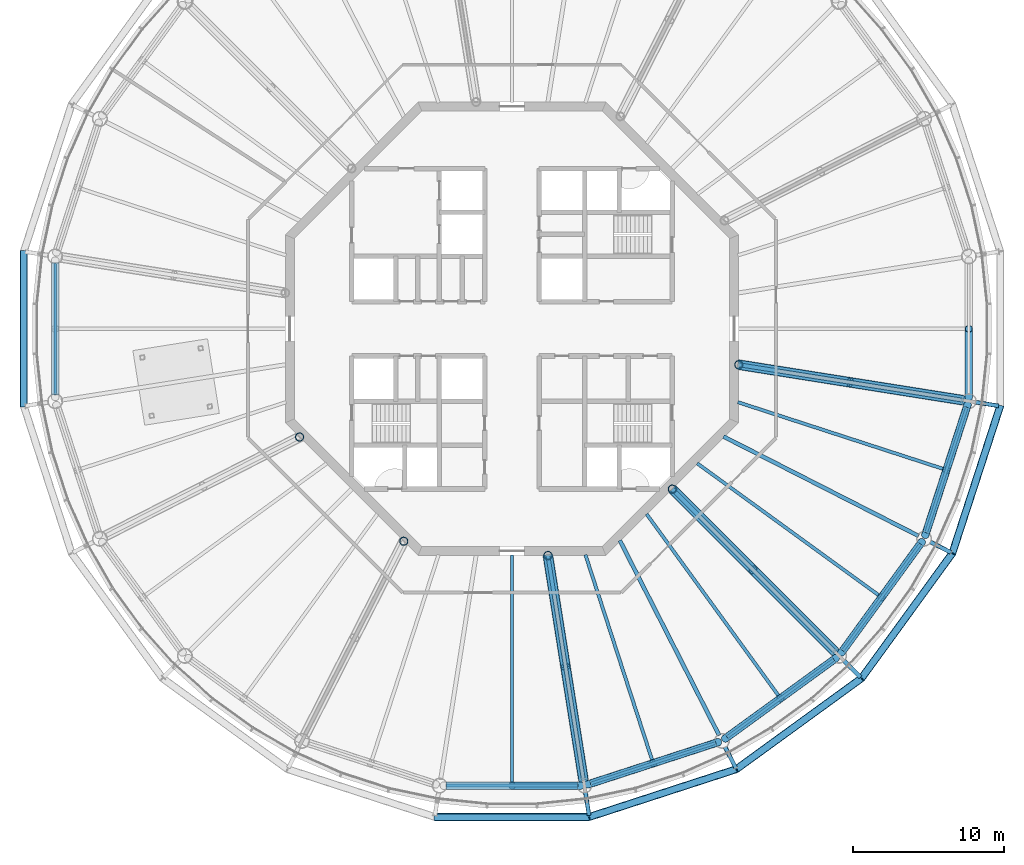
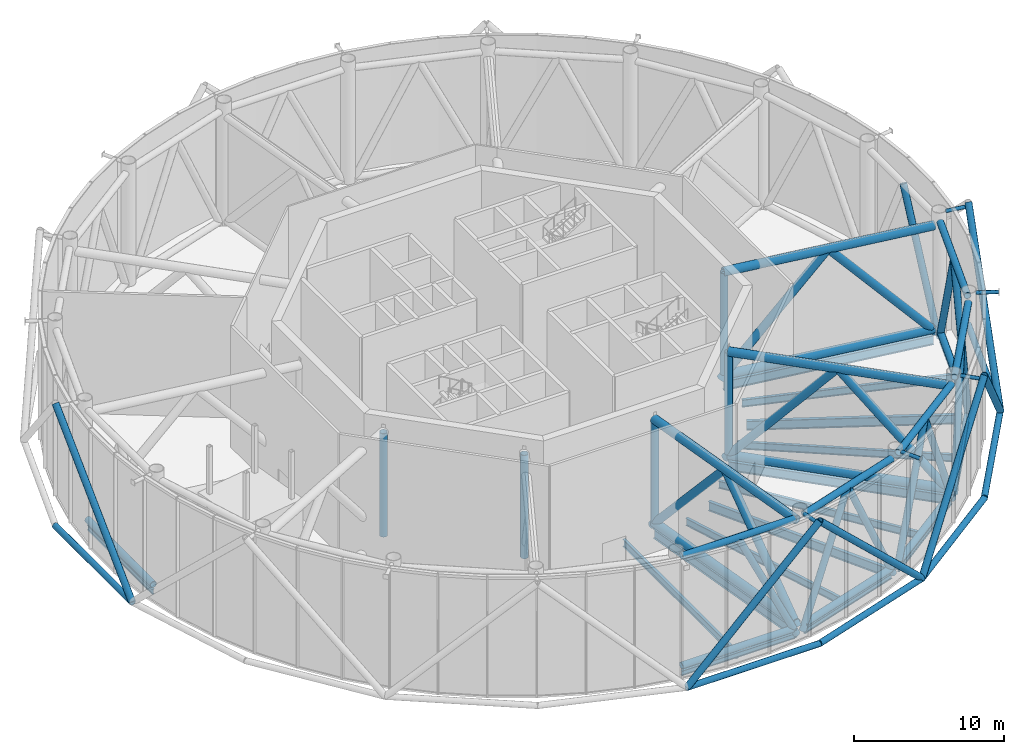
# One storey, part 2 of 23: 55 members, 16 beams.
"""IFC4 building model written with IfcOpenShell, lengths in metres."""

from ifc_helpers import new_model, si_unit, direction, frame, origin, origin_2d, place, context, subcontext, project, spatial, circle, hollow_circle, i_section, extrude, material, material_profile, profile_set, type_object, element, save


model = new_model("IFC4")

# Units and contexts
model_context = context("Model", 3, precision=1e-05, world=origin(), true_north=direction((0.0, 1.0)))
body_context = subcontext(model_context, "Body", "Model", "MODEL_VIEW")
ifc_project = project(units=[si_unit("LENGTHUNIT", "METRE"), si_unit("AREAUNIT", "SQUARE_METRE"), si_unit("VOLUMEUNIT", "CUBIC_METRE"), si_unit("PLANEANGLEUNIT", "RADIAN"), si_unit("MASSUNIT", "GRAM", prefix="KILO")], contexts=[model_context])

# Site, building, storey
site_placement = place(None, origin())
site = spatial("IfcSite", under=ifc_project, at=site_placement, CompositionType="ELEMENT")
building_placement = place(site_placement, origin())
building = spatial("IfcBuilding", under=site, at=building_placement, Name="Entoto Ring Tower", CompositionType="ELEMENT")
storey_placement = place(building_placement, frame((0.0, 0.0, 392.0)))
storey = spatial("IfcBuildingStorey", under=building, at=storey_placement, Name="L91", CompositionType="ELEMENT", Elevation=392.0)

# Members
ifc_material_1 = material(Name="Steel S355", Category="steel")
ifc_material_profile_1 = material_profile(ifc_material_1, hollow_circle(Radius=0.25390625, WallThickness=0.030029296875, at=origin_2d()), Name="CHS 508 x 30")
ifc_material_2 = material(Name="Concrete C60/75", Category="concrete")
ifc_material_profile_2 = material_profile(ifc_material_2, circle(Radius=0.22412109375, at=origin_2d()), Name="Concrete C60/75 infill")
ifc_profile_set_1 = profile_set([ifc_material_profile_1, ifc_material_profile_2], Name="Steel S355")
member_type_1 = type_object("IfcMemberType", Name="Diagrid diagonal 508 x 30 concrete-filled tube", PredefinedType="BRACE", material=ifc_profile_set_1)
for number, where, z_axis, x_axis, name in (
    (1, (57.70263671875, 74.884521484375, 0.0), (0.0, 0.715132528585, 0.698988888724), (-1.0, 0.0, 0.0), "DG7 module 29 11"),
    (2, (84.884521484375, 47.70263671875, 0.0), (0.715132528585, 0.0, 0.698988888724), (0.0, 1.0, 0.0), "DG7 module 29 16"),
):
    element("IfcMember", number, at=place(storey_placement, frame(where, z_axis=z_axis, x_axis=x_axis)), inside=storey, type_object=member_type_1, Name=name, PredefinedType="BRACE", context=body_context, shape_type="SweptSolid", body=[
        extrude(hollow_circle(Radius=0.25390625, WallThickness=0.030029296875, at=origin_2d()), origin(), (0.0, 0.0, 1.0), 14.306396484375),
    ])
member_1_placement = place(storey_placement, frame((104.845458984375, 50.864013671875, 0.0), z_axis=(-0.680124223671, -0.220979790543, 0.698998549746), x_axis=(0.309009448885, -0.95105896794, 0.0)))
element("IfcMember", 3, at=member_1_placement, inside=storey, type_object=member_type_1, Name="DG7 module 29 17", PredefinedType="BRACE", context=body_context, shape_type="SweptSolid", body=[
    extrude(hollow_circle(Radius=0.25390625, WallThickness=0.030029296875, at=origin_2d()), origin(), (0.0, 0.0, 1.0), 14.30615234375),
])
for number, where, z_axis, x_axis, name in (
    (4, (104.845458984375, 50.864013671875, 0.0), (0.578545680196, 0.420350928989, 0.698992126153), (-0.587797047665, 0.809008424404, 0.0), "DG7 module 29 18"),
    (5, (119.135986328125, 65.154541015625, 0.0), (-0.420350928989, -0.578545680196, 0.698992126153), (0.809008424404, -0.587797047665, 0.0), "DG7 module 29 19"),
):
    element("IfcMember", number, at=place(storey_placement, frame(where, z_axis=z_axis, x_axis=x_axis)), inside=storey, type_object=member_type_1, Name=name, PredefinedType="BRACE", context=body_context, shape_type="SweptSolid", body=[
        extrude(hollow_circle(Radius=0.25390625, WallThickness=0.030029296875, at=origin_2d()), origin(), (0.0, 0.0, 1.0), 14.306396484375),
    ])
member_2_placement = place(storey_placement, frame((119.135986328125, 65.154541015625, 0.0), z_axis=(0.220979790543, 0.680124223671, 0.698998549746), x_axis=(-0.95105896794, 0.309009448885, 0.0)))
element("IfcMember", 6, at=member_2_placement, inside=storey, type_object=member_type_1, Name="DG7 module 29 20", PredefinedType="BRACE", context=body_context, shape_type="SweptSolid", body=[
    extrude(hollow_circle(Radius=0.25390625, WallThickness=0.030029296875, at=origin_2d()), origin(), (0.0, 0.0, 1.0), 14.30615234375),
])
ifc_material_3 = material(Name="Steel S355", Category="steel")
ifc_material_profile_3 = material_profile(ifc_material_3, hollow_circle(Radius=0.136474609375, WallThickness=0.012451171875, at=origin_2d()), Name="CHS 273 x 12.5")
ifc_material_4 = material(Name="Concrete C60/75", Category="concrete")
ifc_material_profile_4 = material_profile(ifc_material_4, circle(Radius=0.1240234375, at=origin_2d()), Name="Concrete C60/75 infill")
ifc_profile_set_2 = profile_set([ifc_material_profile_3, ifc_material_profile_4], Name="Steel S355")
member_type_2 = type_object("IfcMemberType", Name="Diagrid node strut 273 x 12.5", PredefinedType="STRUT", material=ifc_profile_set_2)
member_3_placement = place(storey_placement, frame((94.85888671875, 49.321533203125, 9.71337890625), z_axis=(0.156548977711, -0.987670196765, 0.0), x_axis=(0.987670196765, 0.156548977711, 0.0)))
element("IfcMember", 7, at=member_3_placement, inside=storey, type_object=member_type_2, Name="DS2 strut ring 29 15", PredefinedType="STRUT", context=body_context, shape_type="SweptSolid", body=[
    extrude(hollow_circle(Radius=0.136474609375, WallThickness=0.012451171875, at=origin_2d()), origin(), (0.0, 0.0, 1.0), 1.539306640625),
])
member_4_placement = place(storey_placement, frame((104.101318359375, 52.324462890625, 9.71337890625), z_axis=(0.453989939363, -0.891006809714, 0.0), x_axis=(0.891006809714, 0.453989939363, 0.0)))
element("IfcMember", 8, at=member_4_placement, inside=storey, type_object=member_type_2, Name="DS2 strut ring 29 16", PredefinedType="STRUT", context=body_context, shape_type="SweptSolid", body=[
    extrude(hollow_circle(Radius=0.136474609375, WallThickness=0.012451171875, at=origin_2d()), origin(), (0.0, 0.0, 1.0), 1.5390625),
])
member_5_placement = place(storey_placement, frame((111.96337890625, 58.03662109375, 9.71337890625), z_axis=(0.707106781187, -0.707106781187, 0.0), x_axis=(0.707106781187, 0.707106781187, 0.0)))
element("IfcMember", 9, at=member_5_placement, inside=storey, type_object=member_type_2, Name="DS2 strut ring 29 17", PredefinedType="STRUT", context=body_context, shape_type="SweptSolid", body=[
    extrude(hollow_circle(Radius=0.136474609375, WallThickness=0.012451171875, at=origin_2d()), origin(), (0.0, 0.0, 1.0), 1.539306640625),
])
member_6_placement = place(storey_placement, frame((117.675537109375, 65.898681640625, 9.71337890625), z_axis=(0.891006809714, -0.453989939363, 0.0), x_axis=(0.453989939363, 0.891006809714, 0.0)))
element("IfcMember", 10, at=member_6_placement, inside=storey, type_object=member_type_2, Name="DS2 strut ring 29 18", PredefinedType="STRUT", context=body_context, shape_type="SweptSolid", body=[
    extrude(hollow_circle(Radius=0.136474609375, WallThickness=0.012451171875, at=origin_2d()), origin(), (0.0, 0.0, 1.0), 1.5390625),
])
member_7_placement = place(storey_placement, frame((120.678466796875, 75.14111328125, 9.71337890625), z_axis=(0.987670196765, -0.156548977711, 0.0), x_axis=(0.156548977711, 0.987670196765, 0.0)))
element("IfcMember", 11, at=member_7_placement, inside=storey, type_object=member_type_2, Name="DS2 strut ring 29 19", PredefinedType="STRUT", context=body_context, shape_type="SweptSolid", body=[
    extrude(hollow_circle(Radius=0.136474609375, WallThickness=0.012451171875, at=origin_2d()), origin(), (0.0, 0.0, 1.0), 1.539306640625),
])
ifc_material_5 = material(Name="Steel S355", Category="steel")
ifc_material_profile_5 = material_profile(ifc_material_5, hollow_circle(Radius=0.228515625, WallThickness=0.02001953125, at=origin_2d()), Name="CHS 457 x 20")
ifc_material_6 = material(Name="Concrete C60/75", Category="concrete")
ifc_material_profile_6 = material_profile(ifc_material_6, circle(Radius=0.20849609375, at=origin_2d()), Name="Concrete C60/75 infill")
ifc_profile_set_3 = profile_set([ifc_material_profile_5, ifc_material_profile_6], Name="Steel S355")
member_type_3 = type_object("IfcMemberType", Name="Diagrid ring beam 457 x 20", PredefinedType="CHORD", material=ifc_profile_set_3)
for number, where, z_axis, x_axis, name in (
    (12, (57.70263671875, 85.171630859375, 0.0), (0.0, -1.0, 0.0), (1.0, 0.0, 0.0), "DR3 ring 28 10"),
    (13, (84.828369140625, 47.70263671875, 0.0), (1.0, 0.0, 0.0), (0.0, 1.0, 0.0), "DR3 ring 28 15"),
):
    element("IfcMember", number, at=place(storey_placement, frame(where, z_axis=z_axis, x_axis=x_axis)), inside=storey, type_object=member_type_3, Name=name, PredefinedType="CHORD", context=body_context, shape_type="SweptSolid", body=[
        extrude(hollow_circle(Radius=0.228515625, WallThickness=0.02001953125, at=origin_2d()), origin(), (0.0, 0.0, 1.0), 10.34326171875),
    ])
member_8_placement = place(storey_placement, frame((95.06201171875, 47.685302734375, 0.0), z_axis=(0.951061125206, 0.309002809244, 0.0), x_axis=(-0.309002809244, 0.951061125206, 0.0)))
element("IfcMember", 14, at=member_8_placement, inside=storey, type_object=member_type_3, Name="DR3 ring 28 16", PredefinedType="CHORD", context=body_context, shape_type="SweptSolid", body=[
    extrude(hollow_circle(Radius=0.228515625, WallThickness=0.02001953125, at=origin_2d()), origin(), (0.0, 0.0, 1.0), 10.343017578125),
])
for number, where, z_axis, x_axis, name in (
    (15, (104.800048828125, 50.8310546875, 0.0), (0.809019745966, 0.587781465034, 0.0), (-0.587781465034, 0.809019745966, 0.0), "DR3 ring 28 17"),
    (16, (113.08935546875, 56.83203125, 0.0), (0.587781465034, 0.809019745966, 0.0), (-0.809019745966, 0.587781465034, 0.0), "DR3 ring 28 18"),
):
    element("IfcMember", number, at=place(storey_placement, frame(where, z_axis=z_axis, x_axis=x_axis)), inside=storey, type_object=member_type_3, Name=name, PredefinedType="CHORD", context=body_context, shape_type="SweptSolid", body=[
        extrude(hollow_circle(Radius=0.228515625, WallThickness=0.02001953125, at=origin_2d()), origin(), (0.0, 0.0, 1.0), 10.34326171875),
    ])
member_9_placement = place(storey_placement, frame((119.11865234375, 65.10107421875, 0.0), z_axis=(0.309002809244, 0.951061125206, 0.0), x_axis=(-0.951061125206, 0.309002809244, 0.0)))
element("IfcMember", 17, at=member_9_placement, inside=storey, type_object=member_type_3, Name="DR3 ring 28 19", PredefinedType="CHORD", context=body_context, shape_type="SweptSolid", body=[
    extrude(hollow_circle(Radius=0.228515625, WallThickness=0.02001953125, at=origin_2d()), origin(), (0.0, 0.0, 1.0), 10.343017578125),
])

# Beams
ifc_material_7 = material(Name="Steel S355", Category="steel")
ifc_material_profile_7 = material_profile(ifc_material_7, i_section(OverallWidth=0.179931640625, OverallDepth=0.39990234375, WebThickness=0.008544921875, FlangeThickness=0.013427734375, FilletRadius=0.02099609375, at=origin_2d()), Name="IPE 400")
ifc_profile_set_4 = profile_set([ifc_material_profile_7], Name="Steel S355")
beam_type_1 = type_object("IfcBeamType", Name="Edge beam IPE 400", PredefinedType="SPANDREL", material=ifc_profile_set_4)
for number, where, z_axis, x_axis, name in (
    (18, (59.77685546875, 84.365966796875, -0.35009765625), (0.0, -1.0, 0.0), (1.0, 0.0, 0.0), "Edge beam L91 10"),
    (19, (85.634033203125, 49.77685546875, -0.35009765625), (1.0, 0.0, 0.0), (0.0, 1.0, 0.0), "Edge beam L91 15"),
):
    element("IfcBeam", number, at=place(storey_placement, frame(where, z_axis=z_axis, x_axis=x_axis)), inside=storey, type_object=beam_type_1, Name=name, PredefinedType="SPANDREL", context=body_context, shape_type="SweptSolid", body=[
        extrude(i_section(OverallWidth=0.179931640625, OverallDepth=0.39990234375, WebThickness=0.008544921875, FlangeThickness=0.013427734375, FilletRadius=0.02099609375, at=origin_2d()), origin(), (0.0, 0.0, 1.0), 8.73193359375),
    ])
beam_1_placement = place(storey_placement, frame((95.187255859375, 49.90673828125, -0.35009765625), z_axis=(0.951052147972, 0.309030438368, 0.0), x_axis=(-0.309030438368, 0.951052147972, 0.0)))
element("IfcBeam", 20, at=beam_1_placement, inside=storey, type_object=beam_type_1, Name="Edge beam L91 16", PredefinedType="SPANDREL", context=body_context, shape_type="SweptSolid", body=[
    extrude(i_section(OverallWidth=0.179931640625, OverallDepth=0.39990234375, WebThickness=0.008544921875, FlangeThickness=0.013427734375, FilletRadius=0.02099609375, at=origin_2d()), origin(), (0.0, 0.0, 1.0), 8.732177734375),
])
for number, where, z_axis, x_axis, name in (
    (21, (104.232666015625, 52.982666015625, -0.35009765625), (0.80901045354, 0.587794254874, 0.0), (-0.587794254874, 0.80901045354, 0.0), "Edge beam L91 17"),
    (22, (111.884765625, 58.703125, -0.35009765625), (0.587794254874, 0.80901045354, 0.0), (-0.80901045354, 0.587794254874, 0.0), "Edge beam L91 18"),
):
    element("IfcBeam", number, at=place(storey_placement, frame(where, z_axis=z_axis, x_axis=x_axis)), inside=storey, type_object=beam_type_1, Name=name, PredefinedType="SPANDREL", context=body_context, shape_type="SweptSolid", body=[
        extrude(i_section(OverallWidth=0.179931640625, OverallDepth=0.39990234375, WebThickness=0.008544921875, FlangeThickness=0.013427734375, FilletRadius=0.02099609375, at=origin_2d()), origin(), (0.0, 0.0, 1.0), 8.73193359375),
    ])
beam_2_placement = place(storey_placement, frame((117.394775390625, 66.508056640625, -0.35009765625), z_axis=(0.309030438368, 0.951052147972, 0.0), x_axis=(-0.951052147972, 0.309030438368, 0.0)))
element("IfcBeam", 23, at=beam_2_placement, inside=storey, type_object=beam_type_1, Name="Edge beam L91 19", PredefinedType="SPANDREL", context=body_context, shape_type="SweptSolid", body=[
    extrude(i_section(OverallWidth=0.179931640625, OverallDepth=0.39990234375, WebThickness=0.008544921875, FlangeThickness=0.013427734375, FilletRadius=0.02099609375, at=origin_2d()), origin(), (0.0, 0.0, 1.0), 8.732177734375),
])

# Members
ifc_material_8 = material(Name="Steel S355", Category="steel")
ifc_material_profile_8 = material_profile(ifc_material_8, hollow_circle(Radius=0.330078125, WallThickness=0.031982421875, at=origin_2d()), Name="CHS 660 x 32")
ifc_material_9 = material(Name="Concrete C60/75", Category="concrete")
ifc_material_profile_9 = material_profile(ifc_material_9, circle(Radius=0.298095703125, at=origin_2d()), Name="Concrete C60/75 infill")
ifc_profile_set_5 = profile_set([ifc_material_profile_8, ifc_material_profile_9], Name="Steel S355")
member_type_4 = type_object("IfcMemberType", Name="Outrigger chord 660 x 32", PredefinedType="CHORD", material=ifc_profile_set_5)
for number, where, z_axis, x_axis, name in (
    (24, (92.364501953125, 65.0712890625, 0.330078125), (0.15642824984, -0.987689324966, 0.0), (0.987689324966, 0.15642824984, 0.0), "OR1C L91 bottom 08"),
    (25, (92.364501953125, 65.0712890625, 8.76708984375), (0.15642824984, -0.987689324966, 0.0), (0.987689324966, 0.15642824984, 0.0), "OR1C L91 top 08"),
):
    element("IfcMember", number, at=place(storey_placement, frame(where, z_axis=z_axis, x_axis=x_axis)), inside=storey, type_object=member_type_4, Name=name, PredefinedType="CHORD", context=body_context, shape_type="SweptSolid", body=[
        extrude(hollow_circle(Radius=0.330078125, WallThickness=0.031982421875, at=origin_2d()), origin(), (0.0, 0.0, 1.0), 15.129638671875),
    ])
for number, where, z_axis, x_axis, name in (
    (26, (100.592529296875, 69.407470703125, 0.330078125), (0.707106781187, -0.707106781187, 0.0), (0.707106781187, 0.707106781187, 0.0), "OR1C L91 bottom 09"),
    (27, (100.592529296875, 69.407470703125, 8.76708984375), (0.707106781187, -0.707106781187, 0.0), (0.707106781187, 0.707106781187, 0.0), "OR1C L91 top 09"),
):
    element("IfcMember", number, at=place(storey_placement, frame(where, z_axis=z_axis, x_axis=x_axis)), inside=storey, type_object=member_type_4, Name=name, PredefinedType="CHORD", context=body_context, shape_type="SweptSolid", body=[
        extrude(hollow_circle(Radius=0.330078125, WallThickness=0.031982421875, at=origin_2d()), origin(), (0.0, 0.0, 1.0), 15.26416015625),
    ])
for number, where, z_axis, x_axis, name in (
    (28, (104.9287109375, 77.635498046875, 0.330078125), (0.987689324966, -0.15642824984, 0.0), (0.15642824984, 0.987689324966, 0.0), "OR1C L91 bottom 10"),
    (29, (104.9287109375, 77.635498046875, 8.76708984375), (0.987689324966, -0.15642824984, 0.0), (0.15642824984, 0.987689324966, 0.0), "OR1C L91 top 10"),
):
    element("IfcMember", number, at=place(storey_placement, frame(where, z_axis=z_axis, x_axis=x_axis)), inside=storey, type_object=member_type_4, Name=name, PredefinedType="CHORD", context=body_context, shape_type="SweptSolid", body=[
        extrude(hollow_circle(Radius=0.330078125, WallThickness=0.031982421875, at=origin_2d()), origin(), (0.0, 0.0, 1.0), 15.129638671875),
    ])
ifc_material_10 = material(Name="Steel S355", Category="steel")
ifc_material_profile_10 = material_profile(ifc_material_10, hollow_circle(Radius=0.304931640625, WallThickness=0.030029296875, at=origin_2d()), Name="CHS 610 x 30")
ifc_material_11 = material(Name="Concrete C60/75", Category="concrete")
ifc_material_profile_11 = material_profile(ifc_material_11, circle(Radius=0.27490234375, at=origin_2d()), Name="Concrete C60/75 infill")
ifc_profile_set_6 = profile_set([ifc_material_profile_10, ifc_material_profile_11], Name="Steel S355")
member_type_5 = type_object("IfcMemberType", Name="Outrigger diagonal 610 x 30", PredefinedType="BRACE", material=ifc_profile_set_6)
member_10_placement = place(storey_placement, frame((92.337158203125, 65.243408203125, 0.051025390625), z_axis=(0.103599263491, -0.654064799064, 0.749310637339), x_axis=(0.987687039489, 0.156442679682, 0.0)))
element("IfcMember", 30, at=member_10_placement, inside=storey, type_object=member_type_5, Name="OR2C L91 08 1", PredefinedType="BRACE", context=body_context, shape_type="SweptSolid", body=[
    extrude(hollow_circle(Radius=0.304931640625, WallThickness=0.030029296875, at=origin_2d()), origin(), (0.0, 0.0, 1.0), 11.632080078125),
])
member_11_placement = place(storey_placement, frame((93.542236328125, 57.63525390625, 8.76708984375), z_axis=(0.103599840338, -0.654067185785, -0.749308474236), x_axis=(0.987686993101, 0.156442972546, 0.0)))
element("IfcMember", 31, at=member_11_placement, inside=storey, type_object=member_type_5, Name="OR2C L91 08 2", PredefinedType="BRACE", context=body_context, shape_type="SweptSolid", body=[
    extrude(hollow_circle(Radius=0.304931640625, WallThickness=0.030029296875, at=origin_2d()), origin(), (0.0, 0.0, 1.0), 11.625),
])
for number, where, z_axis, x_axis, name in (
    (32, (100.4365234375, 69.5634765625, 0.06103515625), (0.471527984859, -0.471527984859, 0.745199784615), (0.707106781187, 0.707106781187, 0.0), "OR2C L91 09 1"),
    (33, (105.9453125, 64.0546875, 8.76708984375), (0.471527984859, -0.471527984859, -0.745199784615), (0.707106781187, 0.707106781187, 0.0), "OR2C L91 09 2"),
):
    element("IfcMember", number, at=place(storey_placement, frame(where, z_axis=z_axis, x_axis=x_axis)), inside=storey, type_object=member_type_5, Name=name, PredefinedType="BRACE", context=body_context, shape_type="SweptSolid", body=[
        extrude(hollow_circle(Radius=0.304931640625, WallThickness=0.030029296875, at=origin_2d()), origin(), (0.0, 0.0, 1.0), 11.682861328125),
    ])
member_12_placement = place(storey_placement, frame((104.756591796875, 77.662841796875, 0.051025390625), z_axis=(0.654064799064, -0.103599263491, 0.749310637339), x_axis=(0.156442679682, 0.987687039489, 0.0)))
element("IfcMember", 34, at=member_12_placement, inside=storey, type_object=member_type_5, Name="OR2C L91 10 1", PredefinedType="BRACE", context=body_context, shape_type="SweptSolid", body=[
    extrude(hollow_circle(Radius=0.304931640625, WallThickness=0.030029296875, at=origin_2d()), origin(), (0.0, 0.0, 1.0), 11.632080078125),
])
member_13_placement = place(storey_placement, frame((112.36474609375, 76.457763671875, 8.76708984375), z_axis=(0.654067185785, -0.103599840338, -0.749308474236), x_axis=(0.156442972546, 0.987686993101, 0.0)))
element("IfcMember", 35, at=member_13_placement, inside=storey, type_object=member_type_5, Name="OR2C L91 10 2", PredefinedType="BRACE", context=body_context, shape_type="SweptSolid", body=[
    extrude(hollow_circle(Radius=0.304931640625, WallThickness=0.030029296875, at=origin_2d()), origin(), (0.0, 0.0, 1.0), 11.625),
])
ifc_material_12 = material(Name="Steel S355", Category="steel")
ifc_material_profile_12 = material_profile(ifc_material_12, hollow_circle(Radius=0.279541015625, WallThickness=0.031982421875, at=origin_2d()), Name="CHS 559 x 32")
ifc_material_13 = material(Name="Concrete C60/75", Category="concrete")
ifc_material_profile_13 = material_profile(ifc_material_13, circle(Radius=0.24755859375, at=origin_2d()), Name="Concrete C60/75 infill")
ifc_profile_set_7 = profile_set([ifc_material_profile_12, ifc_material_profile_13], Name="Steel S355")
member_type_6 = type_object("IfcMemberType", Name="Outrigger post 559 x 32", PredefinedType="POST", material=ifc_profile_set_7)
for number, where, z_axis, x_axis, name in (
    (36, (75.947021484375, 72.839599609375, 0.330078125), (0.0, 0.0, 1.0), (1.0, 0.0, 0.0), "OR3A L91 06"),
    (37, (82.839599609375, 65.947021484375, 0.330078125), (0.0, 0.0, 1.0), (1.0, 0.0, 0.0), "OR3A L91 07"),
    (38, (92.375732421875, 65.0, 0.330078125), (0.0, 0.0, 1.0), (1.0, 0.0, 0.0), "OR3A L91 08"),
    (39, (100.606689453125, 69.393310546875, 0.330078125), (0.0, 0.0, 1.0), (1.0, 0.0, 0.0), "OR3A L91 09"),
    (40, (105.0, 77.624267578125, 0.330078125), (0.0, 0.0, 1.0), (1.0, 0.0, 0.0), "OR3A L91 10"),
):
    element("IfcMember", number, at=place(storey_placement, frame(where, z_axis=z_axis, x_axis=x_axis)), inside=storey, type_object=member_type_6, Name=name, PredefinedType="POST", context=body_context, shape_type="SweptSolid", body=[
        extrude(hollow_circle(Radius=0.279541015625, WallThickness=0.031982421875, at=origin_2d()), origin(), (0.0, 0.0, 1.0), 8.43701171875),
    ])

# Beams
ifc_material_14 = material(Name="Steel S355", Category="steel")
ifc_material_profile_14 = material_profile(ifc_material_14, i_section(OverallWidth=0.262939453125, OverallDepth=0.7529296875, WebThickness=0.011474609375, FlangeThickness=0.01708984375, FilletRadius=0.01708984375, at=origin_2d()), Name="IPE 750 x 137")
ifc_profile_set_8 = profile_set([ifc_material_profile_14], Name="Steel S355")
beam_type_2 = type_object("IfcBeamType", Name="Primary floor beam IPE 750 x 137", PredefinedType="BEAM", material=ifc_profile_set_8)
beam_3_placement = place(storey_placement, frame((92.369384765625, 65.040283203125, -0.526611328125), z_axis=(0.156432586517, -0.987688638122, 0.0), x_axis=(0.987688638122, 0.156432586517, 0.0)))
element("IfcBeam", 41, at=beam_3_placement, inside=storey, type_object=beam_type_2, Name="Primary L91 R16", PredefinedType="BEAM", context=body_context, shape_type="SweptSolid", body=[
    extrude(i_section(OverallWidth=0.262939453125, OverallDepth=0.7529296875, WebThickness=0.011474609375, FlangeThickness=0.01708984375, FilletRadius=0.01708984375, at=origin_2d()), origin(), (0.0, 0.0, 1.0), 15.04345703125),
])
beam_4_placement = place(storey_placement, frame((97.1318359375, 66.0029296875, -0.526611328125), z_axis=(0.453991952968, -0.89100578373, 0.0), x_axis=(0.89100578373, 0.453991952968, 0.0)))
element("IfcBeam", 42, at=beam_4_placement, inside=storey, type_object=beam_type_2, Name="Primary L91 R17", PredefinedType="BEAM", context=body_context, shape_type="SweptSolid", body=[
    extrude(i_section(OverallWidth=0.262939453125, OverallDepth=0.7529296875, WebThickness=0.011474609375, FlangeThickness=0.01708984375, FilletRadius=0.01708984375, at=origin_2d()), origin(), (0.0, 0.0, 1.0), 14.48046875),
])
beam_5_placement = place(storey_placement, frame((100.592529296875, 69.407470703125, -0.526611328125), z_axis=(0.707106781187, -0.707106781187, 0.0), x_axis=(0.707106781187, 0.707106781187, 0.0)))
element("IfcBeam", 43, at=beam_5_placement, inside=storey, type_object=beam_type_2, Name="Primary L91 R18", PredefinedType="BEAM", context=body_context, shape_type="SweptSolid", body=[
    extrude(i_section(OverallWidth=0.262939453125, OverallDepth=0.7529296875, WebThickness=0.011474609375, FlangeThickness=0.01708984375, FilletRadius=0.01708984375, at=origin_2d()), origin(), (0.0, 0.0, 1.0), 15.209716796875),
])
beam_6_placement = place(storey_placement, frame((103.9970703125, 72.8681640625, -0.526611328125), z_axis=(0.89100578373, -0.453991952968, 0.0), x_axis=(0.453991952968, 0.89100578373, 0.0)))
element("IfcBeam", 44, at=beam_6_placement, inside=storey, type_object=beam_type_2, Name="Primary L91 R19", PredefinedType="BEAM", context=body_context, shape_type="SweptSolid", body=[
    extrude(i_section(OverallWidth=0.262939453125, OverallDepth=0.7529296875, WebThickness=0.011474609375, FlangeThickness=0.01708984375, FilletRadius=0.01708984375, at=origin_2d()), origin(), (0.0, 0.0, 1.0), 14.48046875),
])
beam_7_placement = place(storey_placement, frame((104.959716796875, 77.630615234375, -0.526611328125), z_axis=(0.987688638122, -0.156432586517, 0.0), x_axis=(0.156432586517, 0.987688638122, 0.0)))
element("IfcBeam", 45, at=beam_7_placement, inside=storey, type_object=beam_type_2, Name="Primary L91 R20", PredefinedType="BEAM", context=body_context, shape_type="SweptSolid", body=[
    extrude(i_section(OverallWidth=0.262939453125, OverallDepth=0.7529296875, WebThickness=0.011474609375, FlangeThickness=0.01708984375, FilletRadius=0.01708984375, at=origin_2d()), origin(), (0.0, 0.0, 1.0), 15.04345703125),
])

# Members
ifc_material_15 = material(Name="Steel S355", Category="steel")
ifc_material_profile_15 = material_profile(ifc_material_15, hollow_circle(Radius=0.25390625, WallThickness=0.030029296875, at=origin_2d()), Name="CHS 508 x 30")
ifc_material_16 = material(Name="Concrete C60/75", Category="concrete")
ifc_material_profile_16 = material_profile(ifc_material_16, circle(Radius=0.22412109375, at=origin_2d()), Name="Concrete C60/75 infill")
ifc_profile_set_9 = profile_set([ifc_material_profile_15, ifc_material_profile_16], Name="Steel S355")
member_type_7 = type_object("IfcMemberType", Name="Ring truss chord 508 x 30", PredefinedType="CHORD", material=ifc_profile_set_9)
for number, where, z_axis, x_axis, name in (
    (46, (59.77685546875, 84.376220703125, 0.25390625), (0.0, -1.0, 0.0), (1.0, 0.0, 0.0), "BT1 L91 bottom 10"),
    (47, (85.623779296875, 49.77685546875, 0.25390625), (1.0, 0.0, 0.0), (0.0, 1.0, 0.0), "BT1 L91 bottom 15"),
    (48, (85.623779296875, 49.77685546875, 9.196044921875), (1.0, 0.0, 0.0), (0.0, 1.0, 0.0), "BT1 L91 top 15"),
):
    element("IfcMember", number, at=place(storey_placement, frame(where, z_axis=z_axis, x_axis=x_axis)), inside=storey, type_object=member_type_7, Name=name, PredefinedType="CHORD", context=body_context, shape_type="SweptSolid", body=[
        extrude(hollow_circle(Radius=0.25390625, WallThickness=0.030029296875, at=origin_2d()), origin(), (0.0, 0.0, 1.0), 8.75244140625),
    ])
for number, where, z_axis, x_axis, name in (
    (49, (95.177490234375, 49.903564453125, 0.25390625), (0.951052105555, 0.309030568907, 0.0), (-0.309030568907, 0.951052105555, 0.0), "BT1 L91 bottom 16"),
    (50, (95.177490234375, 49.903564453125, 9.196044921875), (0.951052105555, 0.309030568907, 0.0), (-0.309030568907, 0.951052105555, 0.0), "BT1 L91 top 16"),
):
    element("IfcMember", number, at=place(storey_placement, frame(where, z_axis=z_axis, x_axis=x_axis)), inside=storey, type_object=member_type_7, Name=name, PredefinedType="CHORD", context=body_context, shape_type="SweptSolid", body=[
        extrude(hollow_circle(Radius=0.25390625, WallThickness=0.030029296875, at=origin_2d()), origin(), (0.0, 0.0, 1.0), 8.752685546875),
    ])
for number, where, z_axis, x_axis, name in (
    (51, (104.224365234375, 52.9765625, 0.25390625), (0.809015839564, 0.58778684175, 0.0), (-0.58778684175, 0.809015839564, 0.0), "BT1 L91 bottom 17"),
    (52, (104.224365234375, 52.9765625, 9.196044921875), (0.809015839564, 0.58778684175, 0.0), (-0.58778684175, 0.809015839564, 0.0), "BT1 L91 top 17"),
    (53, (111.87890625, 58.69482421875, 0.25390625), (0.58778684175, 0.809015839564, 0.0), (-0.809015839564, 0.58778684175, 0.0), "BT1 L91 bottom 18"),
    (54, (111.87890625, 58.69482421875, 9.196044921875), (0.58778684175, 0.809015839564, 0.0), (-0.809015839564, 0.58778684175, 0.0), "BT1 L91 top 18"),
):
    element("IfcMember", number, at=place(storey_placement, frame(where, z_axis=z_axis, x_axis=x_axis)), inside=storey, type_object=member_type_7, Name=name, PredefinedType="CHORD", context=body_context, shape_type="SweptSolid", body=[
        extrude(hollow_circle(Radius=0.25390625, WallThickness=0.030029296875, at=origin_2d()), origin(), (0.0, 0.0, 1.0), 8.75244140625),
    ])
for number, where, z_axis, x_axis, name in (
    (55, (117.3916015625, 66.498291015625, 0.25390625), (0.309030568907, 0.951052105555, 0.0), (-0.951052105555, 0.309030568907, 0.0), "BT1 L91 bottom 19"),
    (56, (117.3916015625, 66.498291015625, 9.196044921875), (0.309030568907, 0.951052105555, 0.0), (-0.951052105555, 0.309030568907, 0.0), "BT1 L91 top 19"),
):
    element("IfcMember", number, at=place(storey_placement, frame(where, z_axis=z_axis, x_axis=x_axis)), inside=storey, type_object=member_type_7, Name=name, PredefinedType="CHORD", context=body_context, shape_type="SweptSolid", body=[
        extrude(hollow_circle(Radius=0.25390625, WallThickness=0.030029296875, at=origin_2d()), origin(), (0.0, 0.0, 1.0), 8.752685546875),
    ])
ifc_material_17 = material(Name="Steel S355", Category="steel")
ifc_material_profile_17 = material_profile(ifc_material_17, hollow_circle(Radius=0.25390625, WallThickness=0.02490234375, at=origin_2d()), Name="CHS 508 x 25")
ifc_material_18 = material(Name="Concrete C60/75", Category="concrete")
ifc_material_profile_18 = material_profile(ifc_material_18, circle(Radius=0.22900390625, at=origin_2d()), Name="Concrete C60/75 infill")
ifc_profile_set_10 = profile_set([ifc_material_profile_17, ifc_material_profile_18], Name="Steel S355")
member_type_8 = type_object("IfcMemberType", Name="Ring truss diagonal 508 x 25", PredefinedType="BRACE", material=ifc_profile_set_10)
for number, where, z_axis, x_axis, name in (
    (57, (90.0, 49.77685546875, 9.196044921875), (0.432298018271, 0.0, -0.901730793197), (0.0, 1.0, 0.0), "BT2A L91 15 b"),
    (58, (95.036376953125, 49.857666015625, -0.241943359375), (0.411141211308, 0.133587071211, 0.901730225051), (-0.309015307386, 0.951057064429, 0.0), "BT2A L91 16 a"),
    (59, (99.339599609375, 51.255859375, 9.196044921875), (0.411121828123, 0.133588352321, -0.901738872715), (-0.309031165827, 0.951051911595, 0.0), "BT2A L91 16 b"),
    (60, (104.104248046875, 52.889404296875, -0.241943359375), (0.349747314022, 0.254088134697, 0.901729469486), (-0.587757752962, 0.809036973094, 0.0), "BT2A L91 17 a"),
    (61, (107.764892578125, 55.548828125, 9.196044921875), (0.349726841242, 0.25409020754, -0.901736825768), (-0.587783411479, 0.809018331801, 0.0), "BT2A L91 17 b"),
    (62, (111.791748046875, 58.57470703125, -0.241943359375), (0.25409020754, 0.349726841242, 0.901736825768), (-0.809018331801, 0.587783411479, 0.0), "BT2A L91 18 a"),
    (63, (114.451171875, 62.235107421875, 9.196044921875), (0.254088134697, 0.349747314022, -0.901729469486), (-0.809036973094, 0.587757752962, 0.0), "BT2A L91 18 b"),
    (64, (117.345947265625, 66.357421875, -0.241943359375), (0.133588352321, 0.411121828123, 0.901738872715), (-0.951051911595, 0.309031165827, 0.0), "BT2A L91 19 a"),
    (65, (118.744140625, 70.660400390625, 9.196044921875), (0.133587071211, 0.411141211308, -0.901730225051), (-0.951057064429, 0.309015307386, 0.0), "BT2A L91 19 b"),
    (66, (120.22314453125, 75.475341796875, -0.241943359375), (0.0, 0.432298018271, 0.901730793197), (-1.0, 0.0, 0.0), "BT2A L91 20 a"),
):
    element("IfcMember", number, at=place(storey_placement, frame(where, z_axis=z_axis, x_axis=x_axis)), inside=storey, type_object=member_type_8, Name=name, PredefinedType="BRACE", context=body_context, shape_type="SweptSolid", body=[
        extrude(hollow_circle(Radius=0.25390625, WallThickness=0.02490234375, at=origin_2d()), origin(), (0.0, 0.0, 1.0), 10.466552734375),
    ])

# Beams
ifc_material_19 = material(Name="Steel S355", Category="steel")
ifc_material_profile_19 = material_profile(ifc_material_19, i_section(OverallWidth=0.219970703125, OverallDepth=0.60009765625, WebThickness=0.011962890625, FlangeThickness=0.01904296875, FilletRadius=0.02392578125, at=origin_2d()), Name="IPE 600")
ifc_profile_set_11 = profile_set([ifc_material_profile_19], Name="Steel S355")
beam_type_3 = type_object("IfcBeamType", Name="Secondary floor beam IPE 600", PredefinedType="JOIST", material=ifc_profile_set_11)
beam_8_placement = place(storey_placement, frame((90.0, 65.02001953125, -0.449951171875), z_axis=(0.0, -1.0, 0.0), x_axis=(1.0, 0.0, 0.0)))
element("IfcBeam", 67, at=beam_8_placement, inside=storey, type_object=beam_type_3, Name="Secondary beam L91 15", PredefinedType="JOIST", context=body_context, shape_type="SweptSolid", body=[
    extrude(i_section(OverallWidth=0.219970703125, OverallDepth=0.60009765625, WebThickness=0.011962890625, FlangeThickness=0.01904296875, FilletRadius=0.02392578125, at=origin_2d()), origin(), (0.0, 0.0, 1.0), 15.1533203125),
])
beam_9_placement = place(storey_placement, frame((94.856689453125, 65.052978515625, -0.449951171875), z_axis=(0.309014850288, -0.951057212949, 0.0), x_axis=(0.951057212949, 0.309014850288, 0.0)))
element("IfcBeam", 68, at=beam_9_placement, inside=storey, type_object=beam_type_3, Name="Secondary beam L91 16", PredefinedType="JOIST", context=body_context, shape_type="SweptSolid", body=[
    extrude(i_section(OverallWidth=0.219970703125, OverallDepth=0.60009765625, WebThickness=0.011962890625, FlangeThickness=0.01904296875, FilletRadius=0.02392578125, at=origin_2d()), origin(), (0.0, 0.0, 1.0), 14.4169921875),
])
for number, where, z_axis, x_axis, name in (
    (69, (98.90478515625, 67.74365234375, -0.449951171875), (0.587782163866, -0.809019238239, 0.0), (0.809019238239, 0.587782163866, 0.0), "Secondary beam L91 17"),
    (70, (102.25634765625, 71.09521484375, -0.449951171875), (0.809019238239, -0.587782163866, 0.0), (0.587782163866, 0.809019238239, 0.0), "Secondary beam L91 18"),
):
    element("IfcBeam", number, at=place(storey_placement, frame(where, z_axis=z_axis, x_axis=x_axis)), inside=storey, type_object=beam_type_3, Name=name, PredefinedType="JOIST", context=body_context, shape_type="SweptSolid", body=[
        extrude(i_section(OverallWidth=0.219970703125, OverallDepth=0.60009765625, WebThickness=0.011962890625, FlangeThickness=0.01904296875, FilletRadius=0.02392578125, at=origin_2d()), origin(), (0.0, 0.0, 1.0), 14.983642578125),
    ])
beam_10_placement = place(storey_placement, frame((104.947021484375, 75.143310546875, -0.449951171875), z_axis=(0.951057212949, -0.309014850288, 0.0), x_axis=(0.309014850288, 0.951057212949, 0.0)))
element("IfcBeam", 71, at=beam_10_placement, inside=storey, type_object=beam_type_3, Name="Secondary beam L91 19", PredefinedType="JOIST", context=body_context, shape_type="SweptSolid", body=[
    extrude(i_section(OverallWidth=0.219970703125, OverallDepth=0.60009765625, WebThickness=0.011962890625, FlangeThickness=0.01904296875, FilletRadius=0.02392578125, at=origin_2d()), origin(), (0.0, 0.0, 1.0), 14.4169921875),
])

save(model, "model.ifc")
